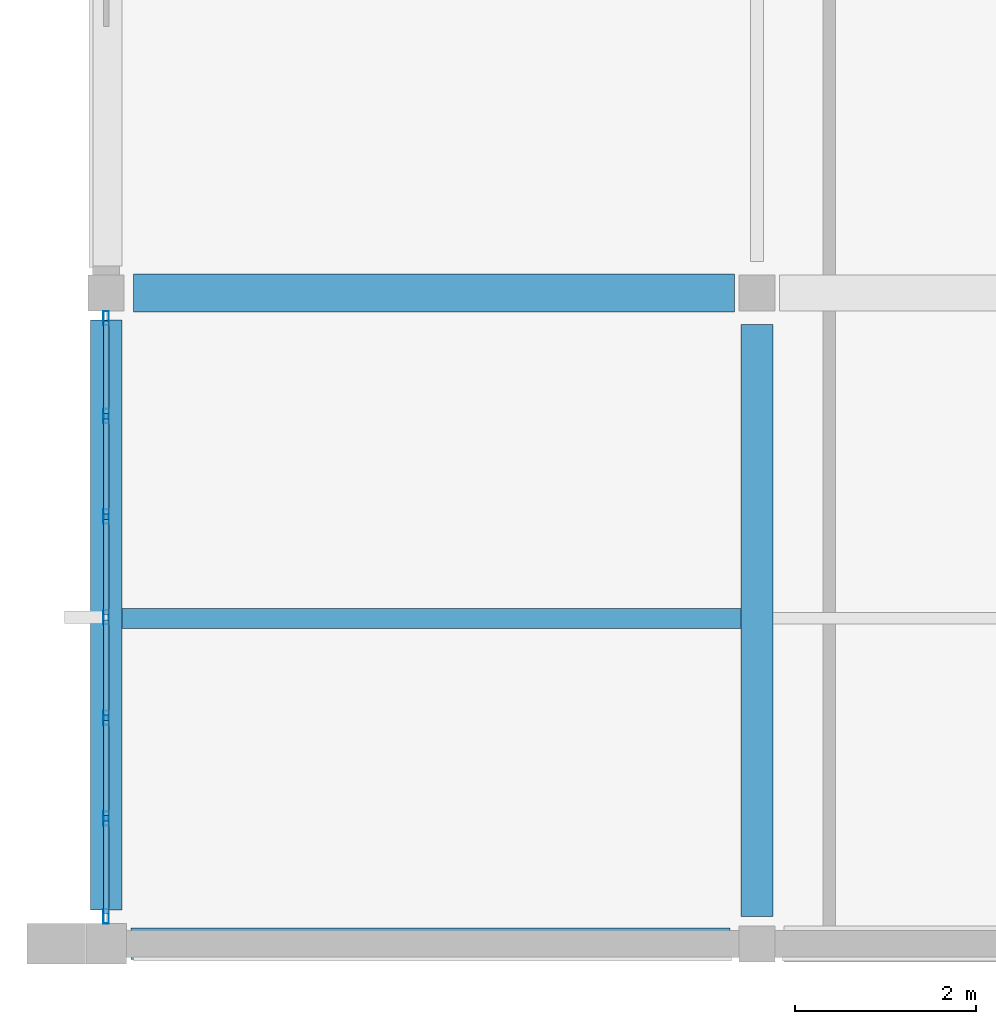
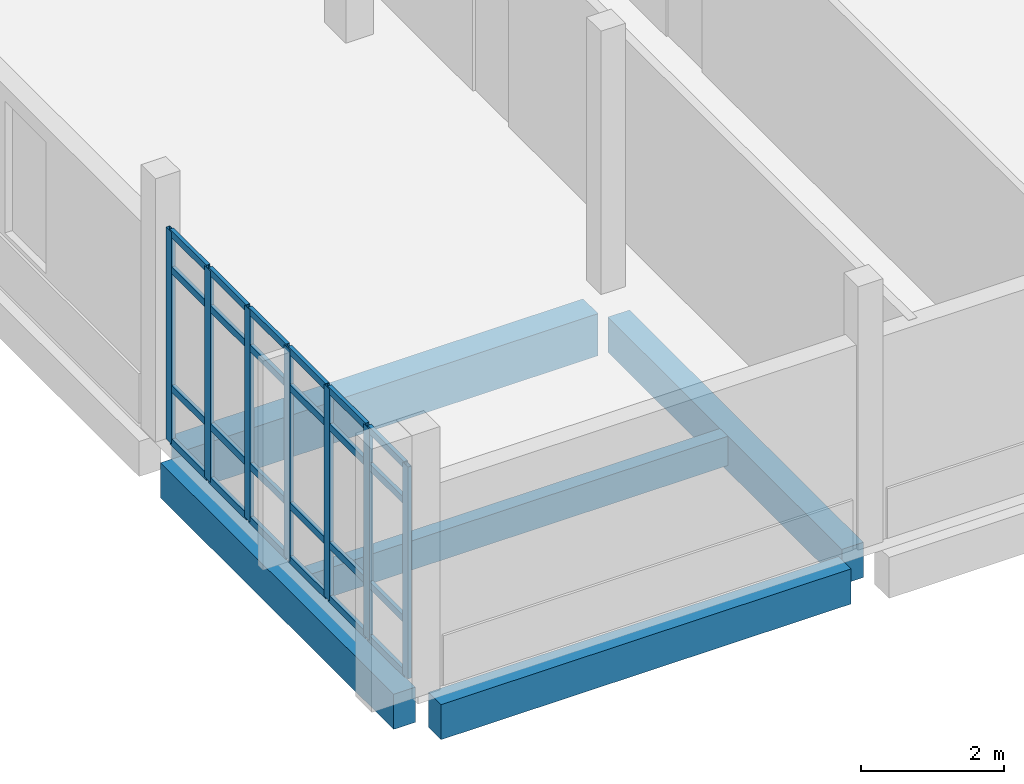
# One storey, part 3 of 87: 31 members, 5 beams, 1 element without a shape of its own.
"""IFC4 building model written with IfcOpenShell, lengths in metres."""

from ifc_helpers import new_model, si_unit, direction, frame, origin, origin_2d, place, context, subcontext, project, spatial, rectangle, hollow_rectangle, extrude, material, material_profile, profile_set, type_object, element, aggregate, save


model = new_model("IFC4")

# Units and contexts
model_context = context("Model", 3, precision=1e-05, world=origin(), true_north=direction((0.0, 1.0)))
body_context = subcontext(model_context, "Body", "Model", "MODEL_VIEW")
ifc_project = project(units=[si_unit("LENGTHUNIT", "METRE"), si_unit("AREAUNIT", "SQUARE_METRE"), si_unit("VOLUMEUNIT", "CUBIC_METRE"), si_unit("PLANEANGLEUNIT", "RADIAN"), si_unit("MASSUNIT", "GRAM", prefix="KILO")], contexts=[model_context])

# Site, building, storey
site_placement = place(None, origin())
site = spatial("IfcSite", under=ifc_project, at=site_placement, CompositionType="ELEMENT")
building_placement = place(site_placement, origin())
building = spatial("IfcBuilding", under=site, at=building_placement, Name="Kalluvel Institute of Natural Sciences", CompositionType="ELEMENT")
storey_placement = place(building_placement, frame((0.0, 0.0, 18.89990234375)))
storey = spatial("IfcBuildingStorey", under=building, at=storey_placement, Name="L04", CompositionType="ELEMENT", Elevation=18.89990234375)

# Beams
ifc_material_1 = material(Name="Concrete M40", Category="concrete")
ifc_material_profile_1 = material_profile(ifc_material_1, rectangle(XDim=0.35009765625, YDim=0.60009765625, at=origin_2d()), Name="RCB 350x600")
ifc_profile_set_1 = profile_set([ifc_material_profile_1], Name="Concrete M40")
beam_type_1 = type_object("IfcBeamType", Name="BM-RC350x600", PredefinedType="BEAM", material=ifc_profile_set_1)
beam_1_placement = place(storey_placement, frame((21.199951171875, 14.300048828125, -0.599853515625), z_axis=(0.0, 1.0, 0.0), x_axis=(-1.0, 0.0, 0.0)))
element("IfcBeam", 1, at=beam_1_placement, inside=storey, type_object=beam_type_1, Name="L04 girder GIR-L04-NS-X212-Y140", PredefinedType="BEAM", context=body_context, shape_type="SweptSolid", body=[
    extrude(rectangle(XDim=0.35009765625, YDim=0.60009765625, at=origin_2d()), origin(), (0.0, 0.0, 1.0), 6.550048828125),
])
ifc_material_profile_2 = material_profile(ifc_material_1, rectangle(XDim=0.419921875, YDim=0.719970703125, at=origin_2d()), Name="RCB 420x720")
ifc_profile_set_2 = profile_set([ifc_material_profile_2], Name="Concrete M40")
beam_type_2 = type_object("IfcBeamType", Name="BM-RC420x720", PredefinedType="BEAM", material=ifc_profile_set_2)
beam_2_placement = place(storey_placement, frame((14.300048828125, 21.199951171875, -0.659912109375), z_axis=(1.0, 0.0, 0.0), x_axis=(0.0, 1.0, 0.0)))
element("IfcBeam", 2, at=beam_2_placement, inside=storey, type_object=beam_type_2, Name="L04 girder GIR-L04-EW-X140-Y212", PredefinedType="BEAM", context=body_context, shape_type="SweptSolid", body=[
    extrude(rectangle(XDim=0.419921875, YDim=0.719970703125, at=origin_2d()), origin(), (0.0, 0.0, 1.0), 6.64990234375),
])

# Curtain wall, members
ifc_material_2 = material(Name="Aluminium AW-6063 T6", Category="aluminium")
curtain_wall_type = type_object("IfcCurtainWallType", Name="CW-DRY-45", PredefinedType="USERDEFINED", material=ifc_material_2)
curtain_wall_placement = place(storey_placement, origin())
curtain_wall = element("IfcCurtainWall", 3, at=curtain_wall_placement, inside=storey, type_object=curtain_wall_type, Name="L04 Gothic lancet curtain wall CWA-L04-X140-Y143", ObjectType="UNITISED LANCET FACADE", PredefinedType="USERDEFINED")
ifc_material_profile_3 = material_profile(ifc_material_2, hollow_rectangle(XDim=0.06005859375, YDim=0.159912109375, WallThickness=0.00390625, at=origin_2d()), Name="CWM 60x160")
ifc_profile_set_3 = profile_set([ifc_material_profile_3], Name="Aluminium AW-6063 T6")
member_type_1 = type_object("IfcMemberType", Name="CWM-60x160", PredefinedType="MULLION", material=ifc_profile_set_3)
member_1_placement = place(storey_placement, frame((14.0, 14.304931640625, 0.0), z_axis=(0.0, 0.0, 1.0), x_axis=(-1.0, 0.0, 0.0)))
member_1 = element("IfcMember", 4, at=member_1_placement, type_object=member_type_1, Name="CW-03 mullion 1", PredefinedType="MULLION", context=body_context, shape_type="SweptSolid", body=[
    extrude(hollow_rectangle(XDim=0.06005859375, YDim=0.159912109375, WallThickness=0.00390625, at=origin_2d()), origin(), (0.0, 0.0, 1.0), 3.6201171875),
])
member_2_placement = place(storey_placement, frame((14.0, 15.387451171875, 0.0), z_axis=(0.0, 0.0, 1.0), x_axis=(-1.0, 0.0, 0.0)))
member_2 = element("IfcMember", 5, at=member_2_placement, type_object=member_type_1, Name="CW-03 mullion 2", PredefinedType="MULLION", context=body_context, shape_type="SweptSolid", body=[
    extrude(hollow_rectangle(XDim=0.06005859375, YDim=0.159912109375, WallThickness=0.00390625, at=origin_2d()), origin(), (0.0, 0.0, 1.0), 3.6201171875),
])
member_3_placement = place(storey_placement, frame((14.0, 16.5, 0.0), z_axis=(0.0, 0.0, 1.0), x_axis=(-1.0, 0.0, 0.0)))
member_3 = element("IfcMember", 6, at=member_3_placement, type_object=member_type_1, Name="CW-03 mullion 3", PredefinedType="MULLION", context=body_context, shape_type="SweptSolid", body=[
    extrude(hollow_rectangle(XDim=0.06005859375, YDim=0.159912109375, WallThickness=0.00390625, at=origin_2d()), origin(), (0.0, 0.0, 1.0), 3.6201171875),
])
member_4_placement = place(storey_placement, frame((14.0, 17.612548828125, 0.0), z_axis=(0.0, 0.0, 1.0), x_axis=(-1.0, 0.0, 0.0)))
member_4 = element("IfcMember", 7, at=member_4_placement, type_object=member_type_1, Name="CW-03 mullion 4", PredefinedType="MULLION", context=body_context, shape_type="SweptSolid", body=[
    extrude(hollow_rectangle(XDim=0.06005859375, YDim=0.159912109375, WallThickness=0.00390625, at=origin_2d()), origin(), (0.0, 0.0, 1.0), 3.6201171875),
])
member_5_placement = place(storey_placement, frame((14.0, 18.72509765625, 0.0), z_axis=(0.0, 0.0, 1.0), x_axis=(-1.0, 0.0, 0.0)))
member_5 = element("IfcMember", 8, at=member_5_placement, type_object=member_type_1, Name="CW-03 mullion 5", PredefinedType="MULLION", context=body_context, shape_type="SweptSolid", body=[
    extrude(hollow_rectangle(XDim=0.06005859375, YDim=0.159912109375, WallThickness=0.00390625, at=origin_2d()), origin(), (0.0, 0.0, 1.0), 3.6201171875),
])
member_6_placement = place(storey_placement, frame((14.0, 19.83740234375, 0.0), z_axis=(0.0, 0.0, 1.0), x_axis=(-1.0, 0.0, 0.0)))
member_6 = element("IfcMember", 9, at=member_6_placement, type_object=member_type_1, Name="CW-03 mullion 6", PredefinedType="MULLION", context=body_context, shape_type="SweptSolid", body=[
    extrude(hollow_rectangle(XDim=0.06005859375, YDim=0.159912109375, WallThickness=0.00390625, at=origin_2d()), origin(), (0.0, 0.0, 1.0), 3.6201171875),
])
member_7_placement = place(storey_placement, frame((14.0, 20.919921875, 0.0), z_axis=(0.0, 0.0, 1.0), x_axis=(-1.0, 0.0, 0.0)))
member_7 = element("IfcMember", 10, at=member_7_placement, type_object=member_type_1, Name="CW-03 mullion 7", PredefinedType="MULLION", context=body_context, shape_type="SweptSolid", body=[
    extrude(hollow_rectangle(XDim=0.06005859375, YDim=0.159912109375, WallThickness=0.00390625, at=origin_2d()), origin(), (0.0, 0.0, 1.0), 3.6201171875),
])
ifc_material_profile_4 = material_profile(ifc_material_2, hollow_rectangle(XDim=0.06005859375, YDim=0.1201171875, WallThickness=0.00390625, at=origin_2d()), Name="CWT 60x120")
ifc_profile_set_4 = profile_set([ifc_material_profile_4], Name="Aluminium AW-6063 T6")
member_type_2 = type_object("IfcMemberType", Name="CWT-60x120", PredefinedType="USERDEFINED", material=ifc_profile_set_4)
member_8_placement = place(storey_placement, frame((14.0, 14.3349609375, 0.030029296875), z_axis=(0.0, 1.0, 0.0), x_axis=(-1.0, 0.0, 0.0)))
member_8 = element("IfcMember", 11, at=member_8_placement, type_object=member_type_2, Name="CW-03 transom 1.1", ObjectType="TRANSOM", PredefinedType="USERDEFINED", context=body_context, shape_type="SweptSolid", body=[
    extrude(hollow_rectangle(XDim=0.06005859375, YDim=0.1201171875, WallThickness=0.00390625, at=origin_2d()), origin(), (0.0, 0.0, 1.0), 1.0224609375),
])
member_9_placement = place(storey_placement, frame((14.0, 14.3349609375, 0.9501953125), z_axis=(0.0, 1.0, 0.0), x_axis=(-1.0, 0.0, 0.0)))
member_9 = element("IfcMember", 12, at=member_9_placement, type_object=member_type_2, Name="CW-03 transom 1.2", ObjectType="TRANSOM", PredefinedType="USERDEFINED", context=body_context, shape_type="SweptSolid", body=[
    extrude(hollow_rectangle(XDim=0.06005859375, YDim=0.1201171875, WallThickness=0.00390625, at=origin_2d()), origin(), (0.0, 0.0, 1.0), 1.0224609375),
])
member_10_placement = place(storey_placement, frame((14.0, 14.3349609375, 2.97021484375), z_axis=(0.0, 1.0, 0.0), x_axis=(-1.0, 0.0, 0.0)))
member_10 = element("IfcMember", 13, at=member_10_placement, type_object=member_type_2, Name="CW-03 transom 1.3", ObjectType="TRANSOM", PredefinedType="USERDEFINED", context=body_context, shape_type="SweptSolid", body=[
    extrude(hollow_rectangle(XDim=0.06005859375, YDim=0.1201171875, WallThickness=0.00390625, at=origin_2d()), origin(), (0.0, 0.0, 1.0), 1.0224609375),
])
member_11_placement = place(storey_placement, frame((14.0, 14.3349609375, 3.590087890625), z_axis=(0.0, 1.0, 0.0), x_axis=(-1.0, 0.0, 0.0)))
member_11 = element("IfcMember", 14, at=member_11_placement, type_object=member_type_2, Name="CW-03 transom 1.4", ObjectType="TRANSOM", PredefinedType="USERDEFINED", context=body_context, shape_type="SweptSolid", body=[
    extrude(hollow_rectangle(XDim=0.06005859375, YDim=0.1201171875, WallThickness=0.00390625, at=origin_2d()), origin(), (0.0, 0.0, 1.0), 1.0224609375),
])
member_12_placement = place(storey_placement, frame((14.0, 15.41748046875, 0.030029296875), z_axis=(0.0, 1.0, 0.0), x_axis=(-1.0, 0.0, 0.0)))
member_12 = element("IfcMember", 15, at=member_12_placement, type_object=member_type_2, Name="CW-03 transom 2.1", ObjectType="TRANSOM", PredefinedType="USERDEFINED", context=body_context, shape_type="SweptSolid", body=[
    extrude(hollow_rectangle(XDim=0.06005859375, YDim=0.1201171875, WallThickness=0.00390625, at=origin_2d()), origin(), (0.0, 0.0, 1.0), 1.052490234375),
])
member_13_placement = place(storey_placement, frame((14.0, 15.41748046875, 0.9501953125), z_axis=(0.0, 1.0, 0.0), x_axis=(-1.0, 0.0, 0.0)))
member_13 = element("IfcMember", 16, at=member_13_placement, type_object=member_type_2, Name="CW-03 transom 2.2", ObjectType="TRANSOM", PredefinedType="USERDEFINED", context=body_context, shape_type="SweptSolid", body=[
    extrude(hollow_rectangle(XDim=0.06005859375, YDim=0.1201171875, WallThickness=0.00390625, at=origin_2d()), origin(), (0.0, 0.0, 1.0), 1.052490234375),
])
member_14_placement = place(storey_placement, frame((14.0, 15.41748046875, 2.97021484375), z_axis=(0.0, 1.0, 0.0), x_axis=(-1.0, 0.0, 0.0)))
member_14 = element("IfcMember", 17, at=member_14_placement, type_object=member_type_2, Name="CW-03 transom 2.3", ObjectType="TRANSOM", PredefinedType="USERDEFINED", context=body_context, shape_type="SweptSolid", body=[
    extrude(hollow_rectangle(XDim=0.06005859375, YDim=0.1201171875, WallThickness=0.00390625, at=origin_2d()), origin(), (0.0, 0.0, 1.0), 1.052490234375),
])
member_15_placement = place(storey_placement, frame((14.0, 15.41748046875, 3.590087890625), z_axis=(0.0, 1.0, 0.0), x_axis=(-1.0, 0.0, 0.0)))
member_15 = element("IfcMember", 18, at=member_15_placement, type_object=member_type_2, Name="CW-03 transom 2.4", ObjectType="TRANSOM", PredefinedType="USERDEFINED", context=body_context, shape_type="SweptSolid", body=[
    extrude(hollow_rectangle(XDim=0.06005859375, YDim=0.1201171875, WallThickness=0.00390625, at=origin_2d()), origin(), (0.0, 0.0, 1.0), 1.052490234375),
])
member_16_placement = place(storey_placement, frame((14.0, 16.530029296875, 0.030029296875), z_axis=(0.0, 1.0, 0.0), x_axis=(-1.0, 0.0, 0.0)))
member_16 = element("IfcMember", 19, at=member_16_placement, type_object=member_type_2, Name="CW-03 transom 3.1", ObjectType="TRANSOM", PredefinedType="USERDEFINED", context=body_context, shape_type="SweptSolid", body=[
    extrude(hollow_rectangle(XDim=0.06005859375, YDim=0.1201171875, WallThickness=0.00390625, at=origin_2d()), origin(), (0.0, 0.0, 1.0), 1.052490234375),
])
member_17_placement = place(storey_placement, frame((14.0, 16.530029296875, 0.9501953125), z_axis=(0.0, 1.0, 0.0), x_axis=(-1.0, 0.0, 0.0)))
member_17 = element("IfcMember", 20, at=member_17_placement, type_object=member_type_2, Name="CW-03 transom 3.2", ObjectType="TRANSOM", PredefinedType="USERDEFINED", context=body_context, shape_type="SweptSolid", body=[
    extrude(hollow_rectangle(XDim=0.06005859375, YDim=0.1201171875, WallThickness=0.00390625, at=origin_2d()), origin(), (0.0, 0.0, 1.0), 1.052490234375),
])
member_18_placement = place(storey_placement, frame((14.0, 16.530029296875, 2.97021484375), z_axis=(0.0, 1.0, 0.0), x_axis=(-1.0, 0.0, 0.0)))
member_18 = element("IfcMember", 21, at=member_18_placement, type_object=member_type_2, Name="CW-03 transom 3.3", ObjectType="TRANSOM", PredefinedType="USERDEFINED", context=body_context, shape_type="SweptSolid", body=[
    extrude(hollow_rectangle(XDim=0.06005859375, YDim=0.1201171875, WallThickness=0.00390625, at=origin_2d()), origin(), (0.0, 0.0, 1.0), 1.052490234375),
])
member_19_placement = place(storey_placement, frame((14.0, 16.530029296875, 3.590087890625), z_axis=(0.0, 1.0, 0.0), x_axis=(-1.0, 0.0, 0.0)))
member_19 = element("IfcMember", 22, at=member_19_placement, type_object=member_type_2, Name="CW-03 transom 3.4", ObjectType="TRANSOM", PredefinedType="USERDEFINED", context=body_context, shape_type="SweptSolid", body=[
    extrude(hollow_rectangle(XDim=0.06005859375, YDim=0.1201171875, WallThickness=0.00390625, at=origin_2d()), origin(), (0.0, 0.0, 1.0), 1.052490234375),
])
member_20_placement = place(storey_placement, frame((14.0, 17.642578125, 0.030029296875), z_axis=(0.0, 1.0, 0.0), x_axis=(-1.0, 0.0, 0.0)))
member_20 = element("IfcMember", 23, at=member_20_placement, type_object=member_type_2, Name="CW-03 transom 4.1", ObjectType="TRANSOM", PredefinedType="USERDEFINED", context=body_context, shape_type="SweptSolid", body=[
    extrude(hollow_rectangle(XDim=0.06005859375, YDim=0.1201171875, WallThickness=0.00390625, at=origin_2d()), origin(), (0.0, 0.0, 1.0), 1.052490234375),
])
member_21_placement = place(storey_placement, frame((14.0, 17.642578125, 0.9501953125), z_axis=(0.0, 1.0, 0.0), x_axis=(-1.0, 0.0, 0.0)))
member_21 = element("IfcMember", 24, at=member_21_placement, type_object=member_type_2, Name="CW-03 transom 4.2", ObjectType="TRANSOM", PredefinedType="USERDEFINED", context=body_context, shape_type="SweptSolid", body=[
    extrude(hollow_rectangle(XDim=0.06005859375, YDim=0.1201171875, WallThickness=0.00390625, at=origin_2d()), origin(), (0.0, 0.0, 1.0), 1.052490234375),
])
member_22_placement = place(storey_placement, frame((14.0, 17.642578125, 2.97021484375), z_axis=(0.0, 1.0, 0.0), x_axis=(-1.0, 0.0, 0.0)))
member_22 = element("IfcMember", 25, at=member_22_placement, type_object=member_type_2, Name="CW-03 transom 4.3", ObjectType="TRANSOM", PredefinedType="USERDEFINED", context=body_context, shape_type="SweptSolid", body=[
    extrude(hollow_rectangle(XDim=0.06005859375, YDim=0.1201171875, WallThickness=0.00390625, at=origin_2d()), origin(), (0.0, 0.0, 1.0), 1.052490234375),
])
member_23_placement = place(storey_placement, frame((14.0, 17.642578125, 3.590087890625), z_axis=(0.0, 1.0, 0.0), x_axis=(-1.0, 0.0, 0.0)))
member_23 = element("IfcMember", 26, at=member_23_placement, type_object=member_type_2, Name="CW-03 transom 4.4", ObjectType="TRANSOM", PredefinedType="USERDEFINED", context=body_context, shape_type="SweptSolid", body=[
    extrude(hollow_rectangle(XDim=0.06005859375, YDim=0.1201171875, WallThickness=0.00390625, at=origin_2d()), origin(), (0.0, 0.0, 1.0), 1.052490234375),
])
member_24_placement = place(storey_placement, frame((14.0, 18.7548828125, 0.030029296875), z_axis=(0.0, 1.0, 0.0), x_axis=(-1.0, 0.0, 0.0)))
member_24 = element("IfcMember", 27, at=member_24_placement, type_object=member_type_2, Name="CW-03 transom 5.1", ObjectType="TRANSOM", PredefinedType="USERDEFINED", context=body_context, shape_type="SweptSolid", body=[
    extrude(hollow_rectangle(XDim=0.06005859375, YDim=0.1201171875, WallThickness=0.00390625, at=origin_2d()), origin(), (0.0, 0.0, 1.0), 1.052734375),
])
member_25_placement = place(storey_placement, frame((14.0, 18.7548828125, 0.9501953125), z_axis=(0.0, 1.0, 0.0), x_axis=(-1.0, 0.0, 0.0)))
member_25 = element("IfcMember", 28, at=member_25_placement, type_object=member_type_2, Name="CW-03 transom 5.2", ObjectType="TRANSOM", PredefinedType="USERDEFINED", context=body_context, shape_type="SweptSolid", body=[
    extrude(hollow_rectangle(XDim=0.06005859375, YDim=0.1201171875, WallThickness=0.00390625, at=origin_2d()), origin(), (0.0, 0.0, 1.0), 1.052734375),
])
member_26_placement = place(storey_placement, frame((14.0, 18.7548828125, 2.97021484375), z_axis=(0.0, 1.0, 0.0), x_axis=(-1.0, 0.0, 0.0)))
member_26 = element("IfcMember", 29, at=member_26_placement, type_object=member_type_2, Name="CW-03 transom 5.3", ObjectType="TRANSOM", PredefinedType="USERDEFINED", context=body_context, shape_type="SweptSolid", body=[
    extrude(hollow_rectangle(XDim=0.06005859375, YDim=0.1201171875, WallThickness=0.00390625, at=origin_2d()), origin(), (0.0, 0.0, 1.0), 1.052734375),
])
member_27_placement = place(storey_placement, frame((14.0, 18.7548828125, 3.590087890625), z_axis=(0.0, 1.0, 0.0), x_axis=(-1.0, 0.0, 0.0)))
member_27 = element("IfcMember", 30, at=member_27_placement, type_object=member_type_2, Name="CW-03 transom 5.4", ObjectType="TRANSOM", PredefinedType="USERDEFINED", context=body_context, shape_type="SweptSolid", body=[
    extrude(hollow_rectangle(XDim=0.06005859375, YDim=0.1201171875, WallThickness=0.00390625, at=origin_2d()), origin(), (0.0, 0.0, 1.0), 1.052734375),
])
member_28_placement = place(storey_placement, frame((14.0, 19.867431640625, 0.030029296875), z_axis=(0.0, 1.0, 0.0), x_axis=(-1.0, 0.0, 0.0)))
member_28 = element("IfcMember", 31, at=member_28_placement, type_object=member_type_2, Name="CW-03 transom 6.1", ObjectType="TRANSOM", PredefinedType="USERDEFINED", context=body_context, shape_type="SweptSolid", body=[
    extrude(hollow_rectangle(XDim=0.06005859375, YDim=0.1201171875, WallThickness=0.00390625, at=origin_2d()), origin(), (0.0, 0.0, 1.0), 1.0224609375),
])
member_29_placement = place(storey_placement, frame((14.0, 19.867431640625, 0.9501953125), z_axis=(0.0, 1.0, 0.0), x_axis=(-1.0, 0.0, 0.0)))
member_29 = element("IfcMember", 32, at=member_29_placement, type_object=member_type_2, Name="CW-03 transom 6.2", ObjectType="TRANSOM", PredefinedType="USERDEFINED", context=body_context, shape_type="SweptSolid", body=[
    extrude(hollow_rectangle(XDim=0.06005859375, YDim=0.1201171875, WallThickness=0.00390625, at=origin_2d()), origin(), (0.0, 0.0, 1.0), 1.0224609375),
])
member_30_placement = place(storey_placement, frame((14.0, 19.867431640625, 2.97021484375), z_axis=(0.0, 1.0, 0.0), x_axis=(-1.0, 0.0, 0.0)))
member_30 = element("IfcMember", 33, at=member_30_placement, type_object=member_type_2, Name="CW-03 transom 6.3", ObjectType="TRANSOM", PredefinedType="USERDEFINED", context=body_context, shape_type="SweptSolid", body=[
    extrude(hollow_rectangle(XDim=0.06005859375, YDim=0.1201171875, WallThickness=0.00390625, at=origin_2d()), origin(), (0.0, 0.0, 1.0), 1.0224609375),
])
member_31_placement = place(storey_placement, frame((14.0, 19.867431640625, 3.590087890625), z_axis=(0.0, 1.0, 0.0), x_axis=(-1.0, 0.0, 0.0)))
member_31 = element("IfcMember", 34, at=member_31_placement, type_object=member_type_2, Name="CW-03 transom 6.4", ObjectType="TRANSOM", PredefinedType="USERDEFINED", context=body_context, shape_type="SweptSolid", body=[
    extrude(hollow_rectangle(XDim=0.06005859375, YDim=0.1201171875, WallThickness=0.00390625, at=origin_2d()), origin(), (0.0, 0.0, 1.0), 1.0224609375),
])
aggregate(curtain_wall, [member_1, member_2, member_3, member_4, member_5, member_6, member_7, member_8, member_9, member_10, member_11, member_12, member_13, member_14, member_15, member_16, member_17, member_18, member_19, member_20, member_21, member_22, member_23, member_24, member_25, member_26, member_27, member_28, member_29, member_30, member_31])

# Beams
ifc_material_profile_5 = material_profile(ifc_material_1, rectangle(XDim=0.35009765625, YDim=0.60009765625, at=origin_2d()), Name="RCB 350x600")
ifc_profile_set_5 = profile_set([ifc_material_profile_5], Name="Concrete M40")
beam_type_3 = type_object("IfcBeamType", Name="SP-RC350x600", PredefinedType="SPANDREL", material=ifc_profile_set_5)
beam_3_placement = place(storey_placement, frame((14.27490234375, 14.0, -0.599853515625), z_axis=(1.0, 0.0, 0.0), x_axis=(0.0, 1.0, 0.0)))
element("IfcBeam", 35, at=beam_3_placement, inside=storey, type_object=beam_type_3, Name="L04 girder GIR-L04-EW-X140-Y140", PredefinedType="SPANDREL", context=body_context, shape_type="SweptSolid", body=[
    extrude(rectangle(XDim=0.35009765625, YDim=0.60009765625, at=origin_2d()), origin(), (0.0, 0.0, 1.0), 6.625),
])
beam_4_placement = place(storey_placement, frame((14.0, 14.375, -0.599853515625), z_axis=(0.0, 1.0, 0.0), x_axis=(-1.0, 0.0, 0.0)))
element("IfcBeam", 36, at=beam_4_placement, inside=storey, type_object=beam_type_3, Name="L04 girder GIR-L04-NS-X140-Y140", PredefinedType="SPANDREL", context=body_context, shape_type="SweptSolid", body=[
    extrude(rectangle(XDim=0.35009765625, YDim=0.60009765625, at=origin_2d()), origin(), (0.0, 0.0, 1.0), 6.52490234375),
])
ifc_material_profile_6 = material_profile(ifc_material_1, rectangle(XDim=0.219970703125, YDim=0.5, at=origin_2d()), Name="WAF 220x500")
ifc_profile_set_6 = profile_set([ifc_material_profile_6], Name="Concrete M40")
beam_type_4 = type_object("IfcBeamType", Name="WJ-220x500", PredefinedType="JOIST", material=ifc_profile_set_6)
beam_5_placement = place(storey_placement, frame((14.175048828125, 17.60009765625, -0.5498046875), z_axis=(1.0, 0.0, 0.0), x_axis=(0.0, 1.0, 0.0)))
element("IfcBeam", 37, at=beam_5_placement, inside=storey, type_object=beam_type_4, Name="L04 floor rib RIB-L04-0707", PredefinedType="JOIST", context=body_context, shape_type="SweptSolid", body=[
    extrude(rectangle(XDim=0.219970703125, YDim=0.5, at=origin_2d()), origin(), (0.0, 0.0, 1.0), 6.849853515625),
])

save(model, "model.ifc")
